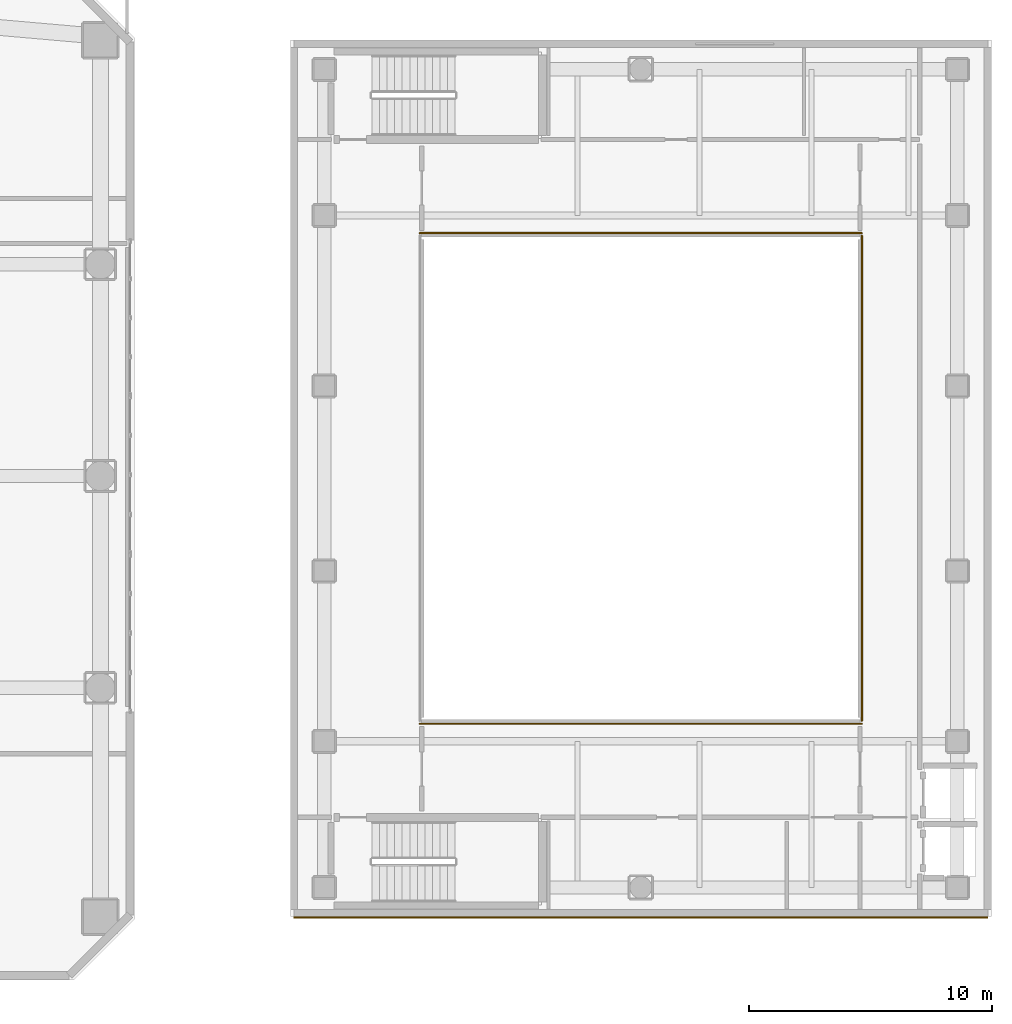
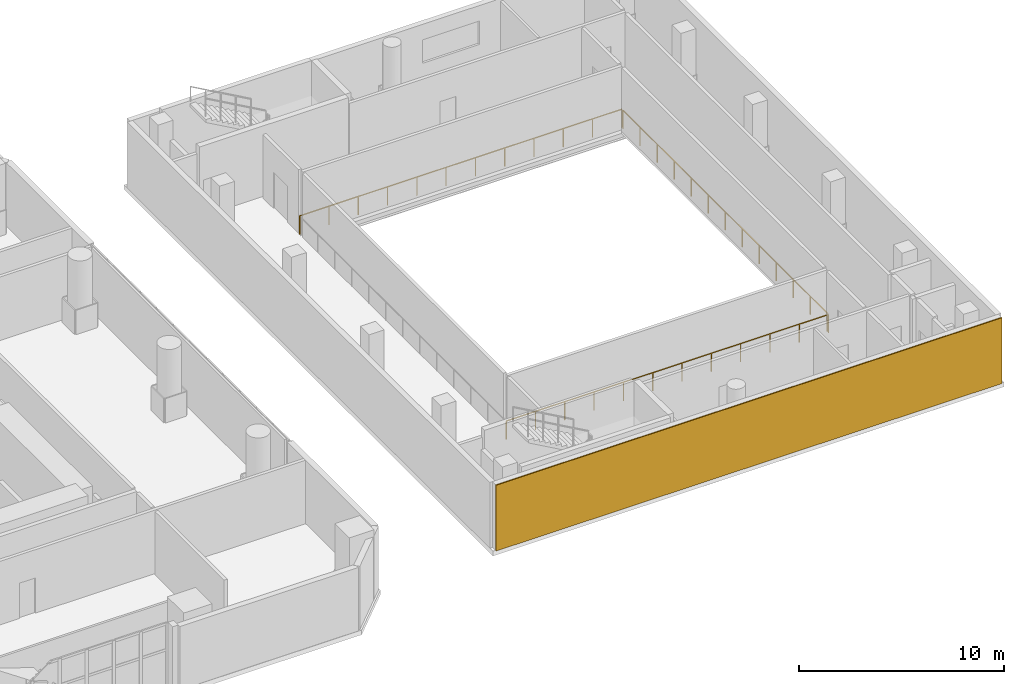
# One storey, part 22 of 22: 3 railings, 1 covering.
"""IFC4 building model written with IfcOpenShell, lengths in metres."""

from ifc_helpers import new_model, si_unit, direction, frame, frame_2d, origin, origin_2d, place, context, subcontext, project, spatial, rectangle, extrude, material, layer, layer_set, type_object, element, save


model = new_model("IFC4")

# Units and contexts
model_context = context("Model", 3, precision=1e-05, world=origin(), true_north=direction((0.0, 1.0)))
body_context = subcontext(model_context, "Body", "Model", "MODEL_VIEW")
ifc_project = project(units=[si_unit("LENGTHUNIT", "METRE"), si_unit("AREAUNIT", "SQUARE_METRE"), si_unit("VOLUMEUNIT", "CUBIC_METRE"), si_unit("PLANEANGLEUNIT", "RADIAN"), si_unit("MASSUNIT", "GRAM", prefix="KILO")], contexts=[model_context])

# Site, building, storey
site_placement = place(None, origin())
site = spatial("IfcSite", under=ifc_project, at=site_placement, CompositionType="ELEMENT")
building_placement = place(site_placement, origin())
building = spatial("IfcBuilding", under=site, at=building_placement, Name="Solanera Arch Residences", CompositionType="ELEMENT")
storey_placement = place(building_placement, frame((0.0, 0.0, 13.60009765625)))
storey = spatial("IfcBuildingStorey", under=building, at=storey_placement, Name="L03", CompositionType="ELEMENT", Elevation=13.60009765625)

# Railings
ifc_material_1 = material(Name="Steel S355 (ASTM A992 / A572 Grade 50)", Category="steel")
railing_type = type_object("IfcRailingType", Name="Balustrade Railing BL-1100", PredefinedType="BALUSTRADE", material=ifc_material_1)
railing_1_placement = place(storey_placement, frame((59.719970703125, 20.52001953125, 0.0)))
element("IfcRailing", 1, at=railing_1_placement, inside=storey, type_object=railing_type, Name="L03 Sports Hall Court Void Guardrail S 1", PredefinedType="BALUSTRADE", context=body_context, shape_type="SweptSolid", body=[
    extrude(rectangle(XDim=0.048095703125, YDim=0.048095703125, at=origin_2d()), frame((0.0, 0.0, 1.09619140625), z_axis=(1.0, 0.0, 0.0), x_axis=(0.0, 1.0, 0.0)), (0.0, 0.0, 1.0), 18.159912109375),
    extrude(rectangle(XDim=0.0419921875, YDim=0.0419921875, at=origin_2d()), origin(), (0.0, 0.0, 1.0), 1.072021484375),
    extrude(rectangle(XDim=0.0419921875, YDim=0.0419921875, at=origin_2d()), frame((1.65087890625, 0.0, 0.0)), (0.0, 0.0, 1.0), 1.072021484375),
    extrude(rectangle(XDim=0.0419921875, YDim=0.0419921875, at=origin_2d()), frame((3.3017578125, 0.0, 0.0)), (0.0, 0.0, 1.0), 1.072021484375),
    extrude(rectangle(XDim=0.0419921875, YDim=0.0419921875, at=origin_2d()), frame((4.95263671875, 0.0, 0.0)), (0.0, 0.0, 1.0), 1.072021484375),
    extrude(rectangle(XDim=0.0419921875, YDim=0.0419921875, at=origin_2d()), frame((6.603515625, 0.0, 0.0)), (0.0, 0.0, 1.0), 1.072021484375),
    extrude(rectangle(XDim=0.0419921875, YDim=0.0419921875, at=origin_2d()), frame((8.25439453125, 0.0, 0.0)), (0.0, 0.0, 1.0), 1.072021484375),
    extrude(rectangle(XDim=0.0419921875, YDim=0.0419921875, at=origin_2d()), frame((9.905517578125, 0.0, 0.0)), (0.0, 0.0, 1.0), 1.072021484375),
    extrude(rectangle(XDim=0.0419921875, YDim=0.0419921875, at=origin_2d()), frame((11.556396484375, 0.0, 0.0)), (0.0, 0.0, 1.0), 1.072021484375),
    extrude(rectangle(XDim=0.0419921875, YDim=0.0419921875, at=origin_2d()), frame((13.207275390625, 0.0, 0.0)), (0.0, 0.0, 1.0), 1.072021484375),
    extrude(rectangle(XDim=0.0419921875, YDim=0.0419921875, at=origin_2d()), frame((14.858154296875, 0.0, 0.0)), (0.0, 0.0, 1.0), 1.072021484375),
    extrude(rectangle(XDim=0.0419921875, YDim=0.0419921875, at=origin_2d()), frame((16.509033203125, 0.0, 0.0)), (0.0, 0.0, 1.0), 1.072021484375),
    extrude(rectangle(XDim=0.0419921875, YDim=0.0419921875, at=origin_2d()), frame((18.159912109375, 0.0, 0.0)), (0.0, 0.0, 1.0), 1.072021484375),
])
railing_2_placement = place(storey_placement, frame((77.8798828125, 20.639892578125, 0.0)))
element("IfcRailing", 2, at=railing_2_placement, inside=storey, type_object=railing_type, Name="L03 Sports Hall Court Void Guardrail E 1", PredefinedType="BALUSTRADE", context=body_context, shape_type="SweptSolid", body=[
    extrude(rectangle(XDim=0.048095703125, YDim=0.048095703125, at=origin_2d()), frame((0.0, 0.0, 1.09619140625), z_axis=(0.0, 1.0, 0.0), x_axis=(-1.0, 0.0, 0.0)), (0.0, 0.0, 1.0), 19.920166015625),
    extrude(rectangle(XDim=0.0419921875, YDim=0.0419921875, at=origin_2d()), origin(), (0.0, 0.0, 1.0), 1.072021484375),
    extrude(rectangle(XDim=0.0419921875, YDim=0.0419921875, at=origin_2d()), frame((0.0, 1.659912109375, 0.0)), (0.0, 0.0, 1.0), 1.072021484375),
    extrude(rectangle(XDim=0.0419921875, YDim=0.0419921875, at=origin_2d()), frame((0.0, 3.320068359375, 0.0)), (0.0, 0.0, 1.0), 1.072021484375),
    extrude(rectangle(XDim=0.0419921875, YDim=0.0419921875, at=origin_2d()), frame((0.0, 4.97998046875, 0.0)), (0.0, 0.0, 1.0), 1.072021484375),
    extrude(rectangle(XDim=0.0419921875, YDim=0.0419921875, at=origin_2d()), frame((0.0, 6.64013671875, 0.0)), (0.0, 0.0, 1.0), 1.072021484375),
    extrude(rectangle(XDim=0.0419921875, YDim=0.0419921875, at=origin_2d()), frame((0.0, 8.300048828125, 0.0)), (0.0, 0.0, 1.0), 1.072021484375),
    extrude(rectangle(XDim=0.0419921875, YDim=0.0419921875, at=origin_2d()), frame((0.0, 9.9599609375, 0.0)), (0.0, 0.0, 1.0), 1.072021484375),
    extrude(rectangle(XDim=0.0419921875, YDim=0.0419921875, at=origin_2d()), frame((0.0, 11.6201171875, 0.0)), (0.0, 0.0, 1.0), 1.072021484375),
    extrude(rectangle(XDim=0.0419921875, YDim=0.0419921875, at=origin_2d()), frame((0.0, 13.280029296875, 0.0)), (0.0, 0.0, 1.0), 1.072021484375),
    extrude(rectangle(XDim=0.0419921875, YDim=0.0419921875, at=origin_2d()), frame((0.0, 14.940185546875, 0.0)), (0.0, 0.0, 1.0), 1.072021484375),
    extrude(rectangle(XDim=0.0419921875, YDim=0.0419921875, at=origin_2d()), frame((0.0, 16.60009765625, 0.0)), (0.0, 0.0, 1.0), 1.072021484375),
    extrude(rectangle(XDim=0.0419921875, YDim=0.0419921875, at=origin_2d()), frame((0.0, 18.26025390625, 0.0)), (0.0, 0.0, 1.0), 1.072021484375),
    extrude(rectangle(XDim=0.0419921875, YDim=0.0419921875, at=origin_2d()), frame((0.0, 19.920166015625, 0.0)), (0.0, 0.0, 1.0), 1.072021484375),
])
railing_3_placement = place(storey_placement, frame((77.8798828125, 40.679931640625, 0.0)))
element("IfcRailing", 3, at=railing_3_placement, inside=storey, type_object=railing_type, Name="L03 Sports Hall Court Void Guardrail N 1", PredefinedType="BALUSTRADE", context=body_context, shape_type="SweptSolid", body=[
    extrude(rectangle(XDim=0.048095703125, YDim=0.048095703125, at=origin_2d()), frame((0.0, 0.0, 1.09619140625), z_axis=(-1.0, 0.0, 0.0), x_axis=(0.0, -1.0, 0.0)), (0.0, 0.0, 1.0), 18.159912109375),
    extrude(rectangle(XDim=0.0419921875, YDim=0.0419921875, at=origin_2d()), origin(), (0.0, 0.0, 1.0), 1.072021484375),
    extrude(rectangle(XDim=0.0419921875, YDim=0.0419921875, at=origin_2d()), frame((-1.65087890625, 0.0, 0.0)), (0.0, 0.0, 1.0), 1.072021484375),
    extrude(rectangle(XDim=0.0419921875, YDim=0.0419921875, at=origin_2d()), frame((-3.3017578125, 0.0, 0.0)), (0.0, 0.0, 1.0), 1.072021484375),
    extrude(rectangle(XDim=0.0419921875, YDim=0.0419921875, at=origin_2d()), frame((-4.95263671875, 0.0, 0.0)), (0.0, 0.0, 1.0), 1.072021484375),
    extrude(rectangle(XDim=0.0419921875, YDim=0.0419921875, at=origin_2d()), frame((-6.603515625, 0.0, 0.0)), (0.0, 0.0, 1.0), 1.072021484375),
    extrude(rectangle(XDim=0.0419921875, YDim=0.0419921875, at=origin_2d()), frame((-8.25439453125, 0.0, 0.0)), (0.0, 0.0, 1.0), 1.072021484375),
    extrude(rectangle(XDim=0.0419921875, YDim=0.0419921875, at=origin_2d()), frame((-9.905517578125, 0.0, 0.0)), (0.0, 0.0, 1.0), 1.072021484375),
    extrude(rectangle(XDim=0.0419921875, YDim=0.0419921875, at=origin_2d()), frame((-11.556396484375, 0.0, 0.0)), (0.0, 0.0, 1.0), 1.072021484375),
    extrude(rectangle(XDim=0.0419921875, YDim=0.0419921875, at=origin_2d()), frame((-13.207275390625, 0.0, 0.0)), (0.0, 0.0, 1.0), 1.072021484375),
    extrude(rectangle(XDim=0.0419921875, YDim=0.0419921875, at=origin_2d()), frame((-14.858154296875, 0.0, 0.0)), (0.0, 0.0, 1.0), 1.072021484375),
    extrude(rectangle(XDim=0.0419921875, YDim=0.0419921875, at=origin_2d()), frame((-16.509033203125, 0.0, 0.0)), (0.0, 0.0, 1.0), 1.072021484375),
    extrude(rectangle(XDim=0.0419921875, YDim=0.0419921875, at=origin_2d()), frame((-18.159912109375, 0.0, 0.0)), (0.0, 0.0, 1.0), 1.072021484375),
])

# Covering
ifc_material_2 = material(Name="Philippine Adobe Travertine Cladding", Category="masonry")
ifc_layer = layer(ifc_material_2, 0.06005859375)
ifc_layer_set = layer_set([ifc_layer], Name="Philippine Adobe Travertine Cladding")
covering_type = type_object("IfcCoveringType", Name="Precast Pier Stone Cladding CLD-60", PredefinedType="CLADDING", material=ifc_layer_set)
covering_placement = place(storey_placement, frame((83.050048828125, 12.570068359375, 0.0), z_axis=(0.0, 0.0, 1.0), x_axis=(-1.0, 0.0, 0.0)))
element("IfcCovering", 4, at=covering_placement, inside=storey, type_object=covering_type, Name="L03 Sports Hall Travertine Cladding S", PredefinedType="CLADDING", context=body_context, shape_type="SweptSolid", body=[
    extrude(rectangle(XDim=28.5, YDim=0.06005859375, at=frame_2d((14.25, 0.0))), origin(), (0.0, 0.0, 1.0), 3.919921875),
])

save(model, "model.ifc")
